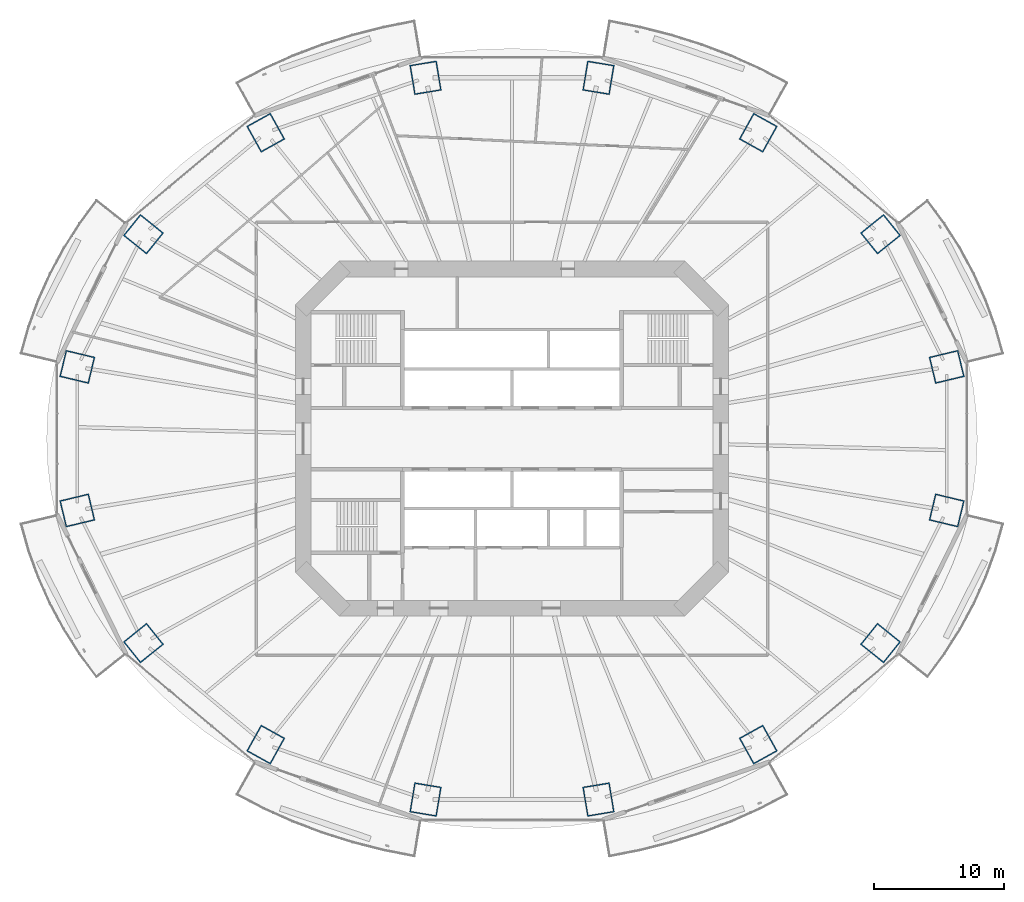
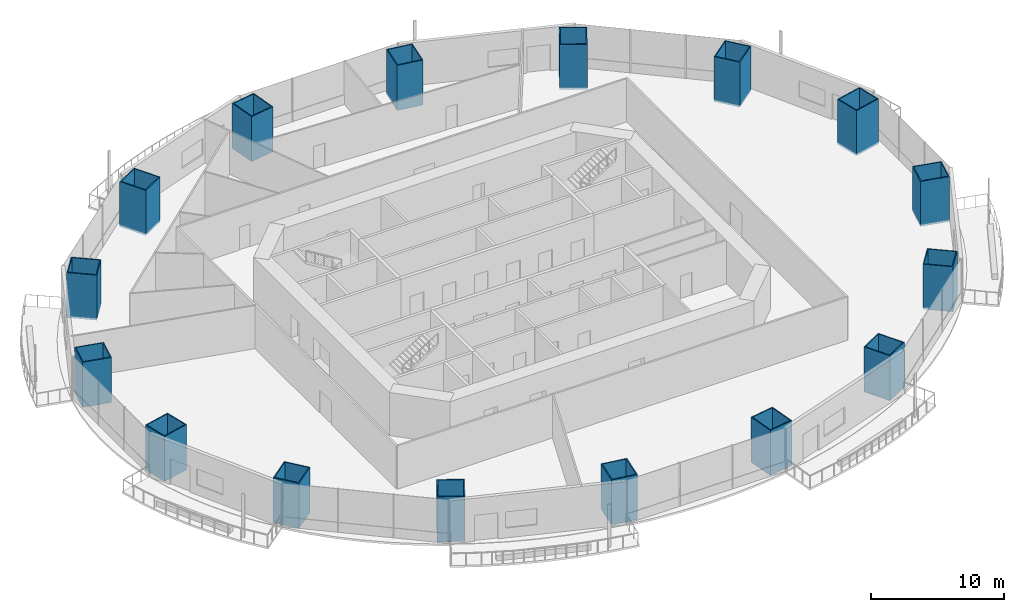
# One storey, part 1 of 22: 16 columns.
"""IFC4 building model written with IfcOpenShell, lengths in metres."""

from ifc_helpers import new_model, si_unit, direction, frame, origin, origin_2d, place, context, subcontext, project, spatial, rectangle, hollow_rectangle, extrude, material, material_profile, profile_set, type_object, element, save


model = new_model("IFC4")

# Units and contexts
model_context = context("Model", 3, precision=1e-05, world=origin(), true_north=direction((0.0, 1.0)))
body_context = subcontext(model_context, "Body", "Model", "MODEL_VIEW")
ifc_project = project(units=[si_unit("LENGTHUNIT", "METRE"), si_unit("AREAUNIT", "SQUARE_METRE"), si_unit("VOLUMEUNIT", "CUBIC_METRE"), si_unit("PLANEANGLEUNIT", "RADIAN"), si_unit("MASSUNIT", "GRAM", prefix="KILO")], contexts=[model_context])

# Site, building, storey
site_placement = place(None, origin())
site = spatial("IfcSite", under=ifc_project, at=site_placement, CompositionType="ELEMENT")
building_placement = place(site_placement, origin())
building = spatial("IfcBuilding", under=site, at=building_placement, Name="Marenthal Gate Tower", CompositionType="ELEMENT")
storey_placement = place(building_placement, frame((0.0, 0.0, 78.64990234375)))
storey = spatial("IfcBuildingStorey", under=building, at=storey_placement, Name="L15", CompositionType="ELEMENT", Elevation=78.64990234375)

# Columns
ifc_material_1 = material(Name="Steel S460", Category="steel")
ifc_material_profile_1 = material_profile(ifc_material_1, hollow_rectangle(XDim=2.10009765625, YDim=2.300048828125, WallThickness=0.0849609375, at=origin_2d()), Name="CFT BOX 2300X2100X85")
ifc_material_2 = material(Name="Concrete 70 MPa", Category="concrete")
ifc_material_profile_2 = material_profile(ifc_material_2, rectangle(XDim=1.929931640625, YDim=2.1298828125, at=origin_2d()), Name="CFT BOX 2300X2100X85 INFILL")
ifc_profile_set = profile_set([ifc_material_profile_1, ifc_material_profile_2], Name="Steel S460 shell, Concrete 70 MPa infill")
column_type = type_object("IfcColumnType", Name="CFT BOX 2300X2100X85", PredefinedType="COLUMN", material=ifc_profile_set)
for number, where, z_axis, x_axis, name in (
    (1, (33.3203125, 5.502197265625, -0.179931640625), (0.0, 0.0, 1.0), (0.233004092362, -0.972475754424, 0.0), "COL-L15-01"),
    (2, (28.24755859375, 15.669189453125, -0.179931640625), (0.0, 0.0, 1.0), (0.626996829827, -0.779021806747, 0.0), "COL-L15-02"),
    (3, (18.87451171875, 23.45068359375, -0.179931640625), (0.0, 0.0, 1.0), (0.874469049806, -0.485081313732, 0.0), "COL-L15-03"),
    (4, (6.627685546875, 27.662109375, -0.179931640625), (0.0, 0.0, 1.0), (0.986637929724, -0.162928191637, 0.0), "COL-L15-04"),
    (5, (-6.627685546875, 27.662109375, -0.179931640625), (0.0, 0.0, 1.0), (0.986637929724, 0.162928191637, 0.0), "COL-L15-05"),
    (6, (-18.87451171875, 23.45068359375, -0.179931640625), (0.0, 0.0, 1.0), (0.874469049806, 0.485081313732, 0.0), "COL-L15-06"),
    (7, (-28.24755859375, 15.669189453125, -0.179931640625), (0.0, 0.0, 1.0), (0.626996829827, 0.779021806747, 0.0), "COL-L15-07"),
    (8, (-33.3203125, 5.502197265625, -0.179931640625), (0.0, 0.0, 1.0), (0.233004092362, 0.972475754424, 0.0), "COL-L15-08"),
    (9, (-33.3203125, -5.502197265625, -0.179931640625), (0.0, 0.0, 1.0), (-0.233004092362, 0.972475754424, 0.0), "COL-L15-09"),
    (10, (-28.24755859375, -15.669189453125, -0.179931640625), (0.0, 0.0, 1.0), (-0.626996829827, 0.779021806747, 0.0), "COL-L15-10"),
    (11, (-18.87451171875, -23.45068359375, -0.179931640625), (0.0, 0.0, 1.0), (-0.874469049806, 0.485081313732, 0.0), "COL-L15-11"),
    (12, (-6.627685546875, -27.662109375, -0.179931640625), (0.0, 0.0, 1.0), (-0.986637929724, 0.162928191637, 0.0), "COL-L15-12"),
    (13, (6.627685546875, -27.662109375, -0.179931640625), (0.0, 0.0, 1.0), (-0.986637929724, -0.162928191637, 0.0), "COL-L15-13"),
    (14, (18.87451171875, -23.45068359375, -0.179931640625), (0.0, 0.0, 1.0), (-0.874469049806, -0.485081313732, 0.0), "COL-L15-14"),
    (15, (28.24755859375, -15.669189453125, -0.179931640625), (0.0, 0.0, 1.0), (-0.626996829827, -0.779021806747, 0.0), "COL-L15-15"),
    (16, (33.3203125, -5.502197265625, -0.179931640625), (0.0, 0.0, 1.0), (-0.233004092362, -0.972475754424, 0.0), "COL-L15-16"),
):
    element("IfcColumn", number, at=place(storey_placement, frame(where, z_axis=z_axis, x_axis=x_axis)), inside=storey, type_object=column_type, Name=name, PredefinedType="COLUMN", context=body_context, shape_type="SweptSolid", body=[
        extrude(hollow_rectangle(XDim=2.10009765625, YDim=2.300048828125, WallThickness=0.0849609375, at=origin_2d()), origin(), (0.0, 0.0, 1.0), 4.150146484375),
    ])

save(model, "model.ifc")
